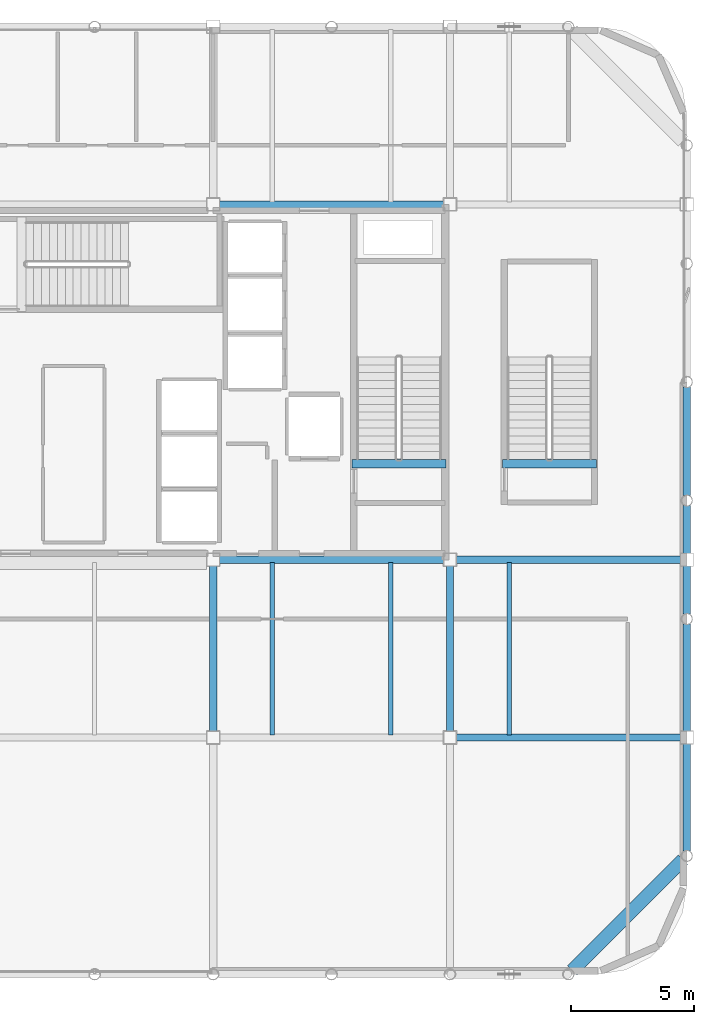
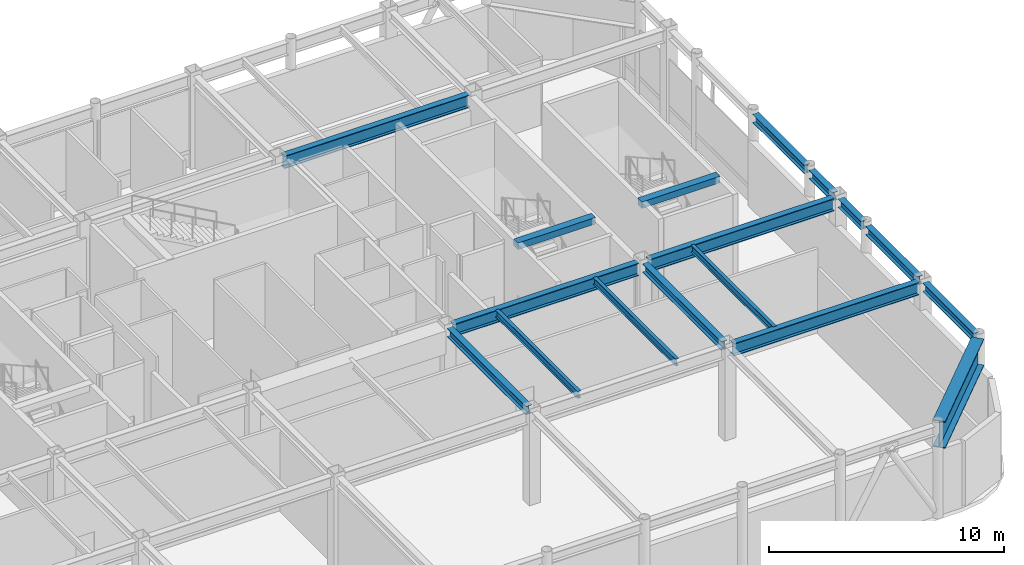
# One storey, part 10 of 21: 17 beams.
"""IFC4 building model written with IfcOpenShell, lengths in metres."""

from ifc_helpers import new_model, si_unit, direction, frame, origin, origin_2d, place, context, subcontext, project, spatial, rectangle, i_section, extrude, material, material_profile, profile_set, type_object, element, save


model = new_model("IFC4")

# Units and contexts
model_context = context("Model", 3, precision=1e-05, world=origin(), true_north=direction((0.0, 1.0)))
body_context = subcontext(model_context, "Body", "Model", "MODEL_VIEW")
ifc_project = project(units=[si_unit("LENGTHUNIT", "METRE"), si_unit("AREAUNIT", "SQUARE_METRE"), si_unit("VOLUMEUNIT", "CUBIC_METRE"), si_unit("PLANEANGLEUNIT", "RADIAN"), si_unit("MASSUNIT", "GRAM", prefix="KILO")], contexts=[model_context])

# Site, building, storey
site_placement = place(None, origin())
site = spatial("IfcSite", under=ifc_project, at=site_placement, CompositionType="ELEMENT")
building_placement = place(site_placement, origin())
building = spatial("IfcBuilding", under=site, at=building_placement, Name="Kallvorn Hotel Tower", CompositionType="ELEMENT")
storey_placement = place(building_placement, frame((0.0, 0.0, 290.60009765625)))
storey = spatial("IfcBuildingStorey", under=building, at=storey_placement, Name="L72", CompositionType="ELEMENT", Elevation=290.60009765625)

# Beams
ifc_material_1 = material(Name="Structural steel S355JR", Category="steel")
ifc_material_profile_1 = material_profile(ifc_material_1, i_section(OverallWidth=0.300048828125, OverallDepth=0.43994140625, WebThickness=0.011474609375, FlangeThickness=0.02099609375, at=origin_2d()), Name="HE 450 A")
ifc_profile_set_1 = profile_set([ifc_material_profile_1], Name="Structural steel S355JR")
beam_type_1 = type_object("IfcBeamType", Name="BM_HE450A", PredefinedType="BEAM", material=ifc_profile_set_1)
for number, where, z_axis, x_axis, name in (
    (1, (4.800048828125, -14.14990234375, 4.579833984375), (0.0, 1.0, 0.0), (-1.0, 0.0, 0.0), "L73 Primary Y-Girder 41"),
    (2, (14.39990234375, -14.14990234375, 4.579833984375), (0.0, 1.0, 0.0), (-1.0, 0.0, 0.0), "L73 Primary Y-Girder 44"),
):
    element("IfcBeam", number, at=place(storey_placement, frame(where, z_axis=z_axis, x_axis=x_axis)), inside=storey, type_object=beam_type_1, Name=name, PredefinedType="BEAM", context=body_context, shape_type="SweptSolid", body=[
        extrude(i_section(OverallWidth=0.300048828125, OverallDepth=0.43994140625, WebThickness=0.011474609375, FlangeThickness=0.02099609375, at=origin_2d()), origin(), (0.0, 0.0, 1.0), 6.699951171875),
    ])
beam_1_placement = place(storey_placement, frame((24.0, -18.99658203125, 4.579833984375), z_axis=(0.0, 1.0, 0.0), x_axis=(-1.0, 0.0, 0.0)))
element("IfcBeam", 3, at=beam_1_placement, inside=storey, type_object=beam_type_1, Name="L73 Primary Y-Girder 46", PredefinedType="BEAM", context=body_context, shape_type="SweptSolid", body=[
    extrude(i_section(OverallWidth=0.300048828125, OverallDepth=0.43994140625, WebThickness=0.011474609375, FlangeThickness=0.02099609375, at=origin_2d()), origin(), (0.0, 0.0, 1.0), 4.3466796875),
])
beam_2_placement = place(storey_placement, frame((24.0, -14.14990234375, 4.579833984375), z_axis=(0.0, 1.0, 0.0), x_axis=(-1.0, 0.0, 0.0)))
element("IfcBeam", 4, at=beam_2_placement, inside=storey, type_object=beam_type_1, Name="L73 Primary Y-Girder 47", PredefinedType="BEAM", context=body_context, shape_type="SweptSolid", body=[
    extrude(i_section(OverallWidth=0.300048828125, OverallDepth=0.43994140625, WebThickness=0.011474609375, FlangeThickness=0.02099609375, at=origin_2d()), origin(), (0.0, 0.0, 1.0), 4.346435546875),
])
for number, where, z_axis, x_axis, name in (
    (5, (24.0, -9.396484375, 4.579833984375), (0.0, 1.0, 0.0), (-1.0, 0.0, 0.0), "L73 Primary Y-Girder 48"),
    (6, (24.0, -6.949951171875, 4.579833984375), (0.0, 1.0, 0.0), (-1.0, 0.0, 0.0), "L73 Primary Y-Girder 49"),
):
    element("IfcBeam", number, at=place(storey_placement, frame(where, z_axis=z_axis, x_axis=x_axis)), inside=storey, type_object=beam_type_1, Name=name, PredefinedType="BEAM", context=body_context, shape_type="SweptSolid", body=[
        extrude(i_section(OverallWidth=0.300048828125, OverallDepth=0.43994140625, WebThickness=0.011474609375, FlangeThickness=0.02099609375, at=origin_2d()), origin(), (0.0, 0.0, 1.0), 1.946533203125),
    ])
beam_3_placement = place(storey_placement, frame((24.0, -4.596435546875, 4.579833984375), z_axis=(0.0, 1.0, 0.0), x_axis=(-1.0, 0.0, 0.0)))
element("IfcBeam", 7, at=beam_3_placement, inside=storey, type_object=beam_type_1, Name="L73 Primary Y-Girder 50", PredefinedType="BEAM", context=body_context, shape_type="SweptSolid", body=[
    extrude(i_section(OverallWidth=0.300048828125, OverallDepth=0.43994140625, WebThickness=0.011474609375, FlangeThickness=0.02099609375, at=origin_2d()), origin(), (0.0, 0.0, 1.0), 4.392822265625),
])
ifc_material_2 = material(Name="Structural steel S355JR", Category="steel")
ifc_material_profile_2 = material_profile(ifc_material_2, i_section(OverallWidth=0.300048828125, OverallDepth=0.64990234375, WebThickness=0.01611328125, FlangeThickness=0.031005859375, at=origin_2d()), Name="HE 650 B")
ifc_profile_set_2 = profile_set([ifc_material_profile_2], Name="Structural steel S355JR")
beam_type_2 = type_object("IfcBeamType", Name="BM_HE650B", PredefinedType="BEAM", material=ifc_profile_set_2)
beam_4_placement = place(storey_placement, frame((14.64990234375, -14.39990234375, 4.474853515625), z_axis=(1.0, 0.0, 0.0), x_axis=(0.0, 1.0, 0.0)))
element("IfcBeam", 8, at=beam_4_placement, inside=storey, type_object=beam_type_2, Name="L73 Primary X-Girder 06", PredefinedType="BEAM", context=body_context, shape_type="SweptSolid", body=[
    extrude(i_section(OverallWidth=0.300048828125, OverallDepth=0.64990234375, WebThickness=0.01611328125, FlangeThickness=0.031005859375, at=origin_2d()), origin(), (0.0, 0.0, 1.0), 9.10009765625),
])
beam_5_placement = place(storey_placement, frame((5.050048828125, -7.199951171875, 4.474853515625), z_axis=(1.0, 0.0, 0.0), x_axis=(0.0, 1.0, 0.0)))
element("IfcBeam", 9, at=beam_5_placement, inside=storey, type_object=beam_type_2, Name="L73 Primary X-Girder 09", PredefinedType="BEAM", context=body_context, shape_type="SweptSolid", body=[
    extrude(i_section(OverallWidth=0.300048828125, OverallDepth=0.64990234375, WebThickness=0.01611328125, FlangeThickness=0.031005859375, at=origin_2d()), origin(), (0.0, 0.0, 1.0), 9.099853515625),
])
beam_6_placement = place(storey_placement, frame((14.64990234375, -7.199951171875, 4.474853515625), z_axis=(1.0, 0.0, 0.0), x_axis=(0.0, 1.0, 0.0)))
element("IfcBeam", 10, at=beam_6_placement, inside=storey, type_object=beam_type_2, Name="L73 Primary X-Girder 10", PredefinedType="BEAM", context=body_context, shape_type="SweptSolid", body=[
    extrude(i_section(OverallWidth=0.300048828125, OverallDepth=0.64990234375, WebThickness=0.01611328125, FlangeThickness=0.031005859375, at=origin_2d()), origin(), (0.0, 0.0, 1.0), 9.10009765625),
])
beam_7_placement = place(storey_placement, frame((5.050048828125, 7.199951171875, 4.474853515625), z_axis=(1.0, 0.0, 0.0), x_axis=(0.0, 1.0, 0.0)))
element("IfcBeam", 11, at=beam_7_placement, inside=storey, type_object=beam_type_2, Name="L73 Primary X-Girder 14", PredefinedType="BEAM", context=body_context, shape_type="SweptSolid", body=[
    extrude(i_section(OverallWidth=0.300048828125, OverallDepth=0.64990234375, WebThickness=0.01611328125, FlangeThickness=0.031005859375, at=origin_2d()), origin(), (0.0, 0.0, 1.0), 9.099853515625),
])
ifc_material_3 = material(Name="Structural steel S355JR", Category="steel")
ifc_material_profile_3 = material_profile(ifc_material_3, i_section(OverallWidth=0.169921875, OverallDepth=0.360107421875, WebThickness=0.008056640625, FlangeThickness=0.0126953125, at=origin_2d()), Name="IPE 360")
ifc_profile_set_3 = profile_set([ifc_material_profile_3], Name="Structural steel S355JR")
beam_type_3 = type_object("IfcBeamType", Name="BM_IPE360", PredefinedType="JOIST", material=ifc_profile_set_3)
for number, where, z_axis, x_axis, name in (
    (12, (7.199951171875, -14.300048828125, 4.619873046875), (0.0, 1.0, 0.0), (-1.0, 0.0, 0.0), "L73 Secondary Composite Joist 99"),
    (13, (12.0, -14.300048828125, 4.619873046875), (0.0, 1.0, 0.0), (-1.0, 0.0, 0.0), "L73 Secondary Composite Joist 101"),
    (14, (16.800048828125, -14.300048828125, 4.619873046875), (0.0, 1.0, 0.0), (-1.0, 0.0, 0.0), "L73 Secondary Composite Joist 103"),
):
    element("IfcBeam", number, at=place(storey_placement, frame(where, z_axis=z_axis, x_axis=x_axis)), inside=storey, type_object=beam_type_3, Name=name, PredefinedType="JOIST", context=body_context, shape_type="SweptSolid", body=[
        extrude(i_section(OverallWidth=0.169921875, OverallDepth=0.360107421875, WebThickness=0.008056640625, FlangeThickness=0.0126953125, at=origin_2d()), origin(), (0.0, 0.0, 1.0), 7.0),
    ])
ifc_material_4 = material(Name="Structural steel S355JR", Category="steel")
ifc_material_profile_4 = material_profile(ifc_material_4, i_section(OverallWidth=0.550048828125, OverallDepth=1.39990234375, WebThickness=0.02490234375, FlangeThickness=0.044921875, at=origin_2d()), Name="PG 1400x550x25x45")
ifc_profile_set_4 = profile_set([ifc_material_profile_4], Name="Structural steel S355JR")
beam_type_4 = type_object("IfcBeamType", Name="BM_PG_1400", PredefinedType="BEAM", material=ifc_profile_set_4)
beam_8_placement = place(storey_placement, frame((23.845458984375, -19.3544921875, 4.099853515625), z_axis=(-0.707106781187, -0.707106781187, 0.0), x_axis=(0.707106781187, -0.707106781187, 0.0)))
element("IfcBeam", 15, at=beam_8_placement, inside=storey, type_object=beam_type_4, Name="L73 Rounded Corner Tie Beam 88", PredefinedType="BEAM", context=body_context, shape_type="SweptSolid", body=[
    extrude(i_section(OverallWidth=0.550048828125, OverallDepth=1.39990234375, WebThickness=0.02490234375, FlangeThickness=0.044921875, at=origin_2d()), origin(), (0.0, 0.0, 1.0), 6.35107421875),
])
ifc_material_5 = material(Name="Concrete C50/60", Category="concrete")
ifc_material_profile_5 = material_profile(ifc_material_5, rectangle(XDim=0.360107421875, YDim=0.340087890625, at=origin_2d()), Name="RC 360x340")
ifc_profile_set_5 = profile_set([ifc_material_profile_5], Name="Concrete C50/60")
beam_type_5 = type_object("IfcBeamType", Name="BM_RC_400x360", PredefinedType="BEAM", material=ifc_profile_set_5)
for number, where, z_axis, x_axis, name in (
    (16, (14.239990234375, -3.31005859375, 4.6298828125), (-1.0, 0.0, 0.0), (0.0, -1.0, 0.0), "L73 Stair ST2 Arrival Trimmer Beam"),
    (17, (20.340087890625, -3.31005859375, 4.6298828125), (-1.0, 0.0, 0.0), (0.0, -1.0, 0.0), "L73 Stair ST4 Arrival Trimmer Beam"),
):
    element("IfcBeam", number, at=place(storey_placement, frame(where, z_axis=z_axis, x_axis=x_axis)), inside=storey, type_object=beam_type_5, Name=name, PredefinedType="BEAM", context=body_context, shape_type="SweptSolid", body=[
        extrude(rectangle(XDim=0.360107421875, YDim=0.340087890625, at=origin_2d()), origin(), (0.0, 0.0, 1.0), 3.820068359375),
    ])

save(model, "model.ifc")
